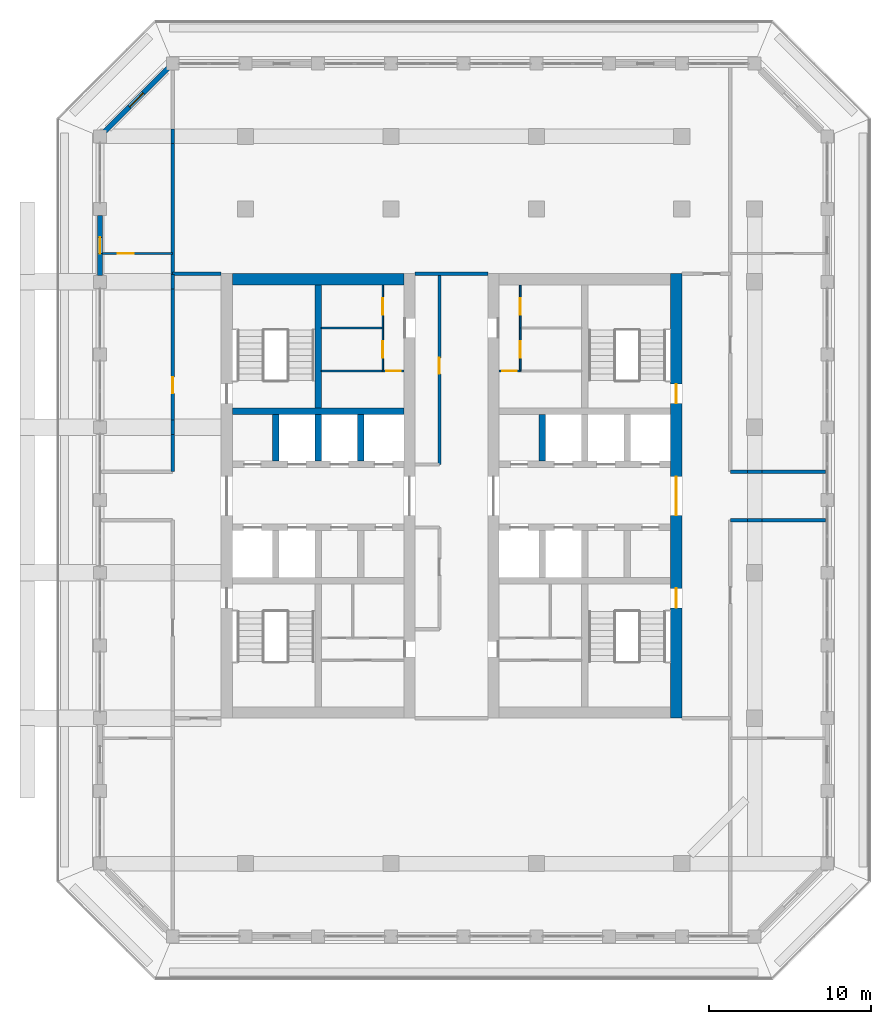
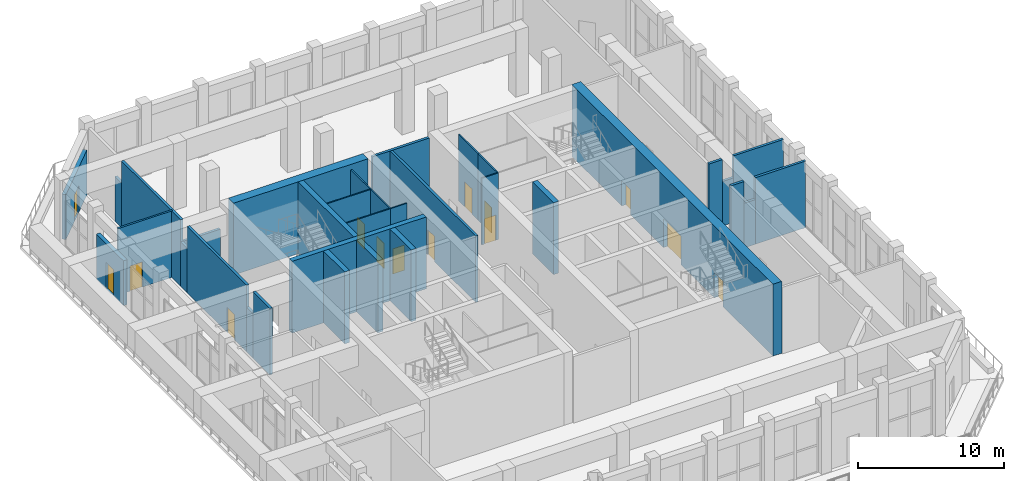
# One storey, part 14 of 25: 34 walls, 14 doors, 14 openings.
"""IFC4 building model written with IfcOpenShell, lengths in metres."""

from ifc_helpers import new_model, si_unit, direction, frame, frame_2d, origin, place, context, subcontext, project, spatial, rectangle, extrude, material, layer, layer_set, type_object, element, fill, save


model = new_model("IFC4")

# Units and contexts
model_context = context("Model", 3, precision=1e-05, world=origin(), true_north=direction((0.0, 1.0)))
body_context = subcontext(model_context, "Body", "Model", "MODEL_VIEW")
ifc_project = project(units=[si_unit("LENGTHUNIT", "METRE"), si_unit("AREAUNIT", "SQUARE_METRE"), si_unit("VOLUMEUNIT", "CUBIC_METRE"), si_unit("PLANEANGLEUNIT", "RADIAN"), si_unit("MASSUNIT", "GRAM", prefix="KILO")], contexts=[model_context])

# Site, building, storey
site_placement = place(None, origin())
site = spatial("IfcSite", under=ifc_project, at=site_placement, CompositionType="ELEMENT")
building_placement = place(site_placement, origin())
building = spatial("IfcBuilding", under=site, at=building_placement, Name="Corbel Stack Research Tower", CompositionType="ELEMENT")
storey_placement = place(building_placement, frame((0.0, 0.0, 260.300048828125)))
storey = spatial("IfcBuildingStorey", under=building, at=storey_placement, Name="L59", CompositionType="ELEMENT", Elevation=260.300048828125)

# Walls
ifc_material_1 = material(Name="Concrete C60/75", Category="concrete")
ifc_layer_1 = layer(ifc_material_1, 0.39990234375)
ifc_layer_set_1 = layer_set([ifc_layer_1], Name="Concrete C60/75")
wall_type_1 = type_object("IfcWallType", Name="CW-400-60", PredefinedType="SHEAR", material=ifc_layer_set_1)
wall_1_placement = place(storey_placement, frame((-9.800048828125, 10.0, 0.0), z_axis=(0.0, 0.0, 1.0), x_axis=(1.0, 0.0, 0.0)))
element("IfcWall", 1, at=wall_1_placement, inside=storey, type_object=wall_type_1, Name="West core wall, north row back L59", PredefinedType="SHEAR", context=body_context, shape_type="SweptSolid", body=[
    extrude(rectangle(XDim=10.60009765625, YDim=0.39990234375, at=frame_2d((5.300048828125, 0.0))), origin(), (0.0, 0.0, 1.0), 6.0),
])
for number, where, z_axis, x_axis, name in (
    (2, (-7.125, 6.89990234375, 0.0), (0.0, 0.0, 1.0), (0.0, 1.0, 0.0), "West core wall, north shaft 1 L59"),
    (3, (-4.5, 6.89990234375, 0.0), (0.0, 0.0, 1.0), (0.0, 1.0, 0.0), "West core wall, north shaft 2 L59"),
    (4, (-1.875, 6.89990234375, 0.0), (0.0, 0.0, 1.0), (0.0, 1.0, 0.0), "West core wall, north shaft 3 L59"),
):
    element("IfcWall", number, at=place(storey_placement, frame(where, z_axis=z_axis, x_axis=x_axis)), inside=storey, type_object=wall_type_1, Name=name, PredefinedType="SHEAR", context=body_context, shape_type="SweptSolid", body=[
        extrude(rectangle(XDim=2.900146484375, YDim=0.39990234375, at=frame_2d((1.4501953125, 0.0))), origin(), (0.0, 0.0, 1.0), 6.0),
    ])
wall_2_placement = place(storey_placement, frame((-4.5, 10.199951171875, 0.0), z_axis=(0.0, 0.0, 1.0), x_axis=(0.0, 1.0, 0.0)))
element("IfcWall", 5, at=wall_2_placement, inside=storey, type_object=wall_type_1, Name="West core wall, north stair and riser L59", PredefinedType="SHEAR", context=body_context, shape_type="SweptSolid", body=[
    extrude(rectangle(XDim=7.60009765625, YDim=0.39990234375, at=frame_2d((3.800048828125, 0.0))), origin(), (0.0, 0.0, 1.0), 6.0),
])
wall_3_placement = place(storey_placement, frame((9.375, 6.89990234375, 0.0), z_axis=(0.0, 0.0, 1.0), x_axis=(0.0, 1.0, 0.0)))
element("IfcWall", 6, at=wall_3_placement, inside=storey, type_object=wall_type_1, Name="East core wall, north shaft 1 L59", PredefinedType="SHEAR", context=body_context, shape_type="SweptSolid", body=[
    extrude(rectangle(XDim=2.900146484375, YDim=0.39990234375, at=frame_2d((1.4501953125, 0.0))), origin(), (0.0, 0.0, 1.0), 6.0),
])
ifc_material_2 = material(Name="Concrete C60/75", Category="concrete")
ifc_layer_2 = layer(ifc_material_2, 0.699951171875)
ifc_layer_set_2 = layer_set([ifc_layer_2], Name="Concrete C60/75")
wall_type_2 = type_object("IfcWallType", Name="CW-700-60", PredefinedType="SHEAR", material=ifc_layer_set_2)
wall_4_placement = place(storey_placement, frame((-9.800048828125, 18.14990234375, 0.0), z_axis=(0.0, 0.0, 1.0), x_axis=(1.0, 0.0, 0.0)))
element("IfcWall", 7, at=wall_4_placement, inside=storey, type_object=wall_type_2, Name="West core wall, north end L59", PredefinedType="SHEAR", context=body_context, shape_type="SweptSolid", body=[
    extrude(rectangle(XDim=10.60009765625, YDim=0.699951171875, at=frame_2d((5.300048828125, 0.0))), origin(), (0.0, 0.0, 1.0), 6.0),
])

# Wall, openings, doors
wall_5_placement = place(storey_placement, frame((17.64990234375, -9.0, 0.0), z_axis=(0.0, 0.0, 1.0), x_axis=(0.0, 1.0, 0.0)))
wall_5 = element("IfcWall", 8, at=wall_5_placement, inside=storey, type_object=wall_type_2, Name="East core wall, east face L59", PredefinedType="SHEAR", context=body_context, shape_type="SweptSolid", body=[
    extrude(rectangle(XDim=27.5, YDim=0.699951171875, at=frame_2d((13.75, 0.0))), origin(), (0.0, 0.0, 1.0), 6.0),
])
opening_1_placement = place(wall_5_placement, frame((12.550048828125, 0.0, 0.0)))
opening_1 = element("IfcOpeningElement", 9, at=opening_1_placement, cuts=wall_5, Name="Opening CD-E-E", PredefinedType="OPENING", context=body_context, shape_type="SweptSolid", body=[
    extrude(rectangle(XDim=2.39990234375, YDim=2.39990234375, at=frame_2d((1.199951171875, 1.199951171875))), frame((0.0, 0.35986328125, 0.0), z_axis=(0.0, -1.0, 0.0), x_axis=(1.0, 0.0, 0.0)), (0.0, 0.0, 1.0), 0.719970703125),
])
opening_2_placement = place(wall_5_placement, frame((6.824951171875, 0.0, 0.0)))
opening_2 = element("IfcOpeningElement", 10, at=opening_2_placement, cuts=wall_5, Name="Opening SD-ST-E1", PredefinedType="OPENING", context=body_context, shape_type="SweptSolid", body=[
    extrude(rectangle(XDim=1.199951171875, YDim=2.10009765625, at=frame_2d((0.60009765625, 1.050048828125))), frame((0.0, 0.35986328125, 0.0), z_axis=(0.0, -1.0, 0.0), x_axis=(1.0, 0.0, 0.0)), (0.0, 0.0, 1.0), 0.719970703125),
])
opening_3_placement = place(wall_5_placement, frame((19.47509765625, 0.0, 0.0)))
opening_3 = element("IfcOpeningElement", 11, at=opening_3_placement, cuts=wall_5, Name="Opening SD-ST-E2", PredefinedType="OPENING", context=body_context, shape_type="SweptSolid", body=[
    extrude(rectangle(XDim=1.199951171875, YDim=2.10009765625, at=frame_2d((0.60009765625, 1.050048828125))), frame((0.0, 0.35986328125, 0.0), z_axis=(0.0, -1.0, 0.0), x_axis=(1.0, 0.0, 0.0)), (0.0, 0.0, 1.0), 0.719970703125),
])
ifc_material_3 = material(Name="Painted steel fire door", Category="steel")
door_type_1 = type_object("IfcDoorType", Name="Lobby door pair 2400 x 2400 FD30S", OperationType="DOUBLE_DOOR_DOUBLE_SWING", PredefinedType="DOOR", material=ifc_material_3)
door_1_placement = place(opening_1_placement, origin())
door_1 = element("IfcDoor", 12, at=door_1_placement, inside=storey, type_object=door_type_1, Name="Lift lobby door E core E", OperationType="DOUBLE_DOOR_DOUBLE_SWING", OverallHeight=2.39990234375, OverallWidth=2.39990234375, PredefinedType="DOOR", context=body_context, shape_type="SweptSolid", body=[
    extrude(rectangle(XDim=2.39990234375, YDim=2.39990234375, at=frame_2d((1.199951171875, 1.199951171875))), frame((0.0, 0.02490234375, 0.0), z_axis=(0.0, -1.0, 0.0), x_axis=(1.0, 0.0, 0.0)), (0.0, 0.0, 1.0), 0.050048828125),
])
fill(opening_1, door_1)
ifc_material_4 = material(Name="Painted steel fire door", Category="steel")
door_type_2 = type_object("IfcDoorType", Name="Stair door 1200 x 2100 FD90 right hand", OperationType="SINGLE_SWING_RIGHT", PredefinedType="DOOR", material=ifc_material_4)
door_2_placement = place(opening_2_placement, frame((1.199951171875, 0.0, 0.0), z_axis=(0.0, 0.0, 1.0), x_axis=(-1.0, 0.0, 0.0)))
door_2 = element("IfcDoor", 13, at=door_2_placement, inside=storey, type_object=door_type_2, Name="Stair door ST-E1", OperationType="SINGLE_SWING_LEFT", OverallHeight=2.10009765625, OverallWidth=1.199951171875, PredefinedType="DOOR", context=body_context, shape_type="SweptSolid", body=[
    extrude(rectangle(XDim=1.199951171875, YDim=2.10009765625, at=frame_2d((0.60009765625, 1.050048828125))), frame((0.0, 0.02490234375, 0.0), z_axis=(0.0, -1.0, 0.0), x_axis=(1.0, 0.0, 0.0)), (0.0, 0.0, 1.0), 0.050048828125),
])
fill(opening_2, door_2)
door_3_placement = place(opening_3_placement, frame((1.199951171875, 0.0, 0.0), z_axis=(0.0, 0.0, 1.0), x_axis=(-1.0, 0.0, 0.0)))
door_3 = element("IfcDoor", 14, at=door_3_placement, inside=storey, type_object=door_type_2, Name="Stair door ST-E2", OperationType="SINGLE_SWING_LEFT", OverallHeight=2.10009765625, OverallWidth=1.199951171875, PredefinedType="DOOR", context=body_context, shape_type="SweptSolid", body=[
    extrude(rectangle(XDim=1.199951171875, YDim=2.10009765625, at=frame_2d((0.60009765625, 1.050048828125))), frame((0.0, 0.02490234375, 0.0), z_axis=(0.0, -1.0, 0.0), x_axis=(1.0, 0.0, 0.0)), (0.0, 0.0, 1.0), 0.050048828125),
])
fill(opening_3, door_3)

# Wall, opening, door
ifc_material_5 = material(Name="Gypsum board")
ifc_layer_3 = layer(ifc_material_5, 0.10009765625)
ifc_layer_set_3 = layer_set([ifc_layer_3], Name="Gypsum board")
wall_type_3 = type_object("IfcWallType", Name="Core partition 100", PredefinedType="PARTITIONING", material=ifc_layer_set_3)
wall_6_placement = place(storey_placement, frame((-0.5, 12.47998046875, 0.0), z_axis=(0.0, 0.0, 1.0), x_axis=(1.0, 0.0, 0.0)))
wall_6 = element("IfcWall", 15, at=wall_6_placement, inside=storey, type_object=wall_type_3, Name="Core partition W", PredefinedType="PARTITIONING", context=body_context, shape_type="SweptSolid", body=[
    extrude(rectangle(XDim=1.300048828125, YDim=0.10009765625, at=frame_2d((0.64990234375, 0.0))), origin(), (0.0, 0.0, 1.0), 5.550048828125),
])
opening_4_placement = place(wall_6_placement, frame((0.199951171875, 0.0, 0.0)))
opening_4 = element("IfcOpeningElement", 16, at=opening_4_placement, cuts=wall_6, Name="Opening CR-W24-R1-900", PredefinedType="OPENING", context=body_context, shape_type="SweptSolid", body=[
    extrude(rectangle(XDim=0.89990234375, YDim=2.10009765625, at=frame_2d((0.449951171875, 1.050048828125))), frame((0.0, 0.06005859375, 0.0), z_axis=(0.0, -1.0, 0.0), x_axis=(1.0, 0.0, 0.0)), (0.0, 0.0, 1.0), 0.1201171875),
])
ifc_material_6 = material(Name="Painted steel door", Category="steel")
door_type_3 = type_object("IfcDoorType", Name="Riser door 900 x 2100 FD60 left hand", OperationType="SINGLE_SWING_LEFT", PredefinedType="DOOR", material=ifc_material_6)
door_4_placement = place(opening_4_placement, origin())
door_4 = element("IfcDoor", 17, at=door_4_placement, inside=storey, type_object=door_type_3, Name="Electrical riser door W core", OperationType="SINGLE_SWING_LEFT", OverallHeight=2.10009765625, OverallWidth=0.89990234375, PredefinedType="DOOR", context=body_context, shape_type="SweptSolid", body=[
    extrude(rectangle(XDim=0.89990234375, YDim=2.10009765625, at=frame_2d((0.449951171875, 1.050048828125))), frame((0.0, 0.02490234375, 0.0), z_axis=(0.0, -1.0, 0.0), x_axis=(1.0, 0.0, 0.0)), (0.0, 0.0, 1.0), 0.050048828125),
])
fill(opening_4, door_4)

# Wall
wall_7_placement = place(storey_placement, frame((-4.300048828125, 12.47998046875, 0.0), z_axis=(0.0, 0.0, 1.0), x_axis=(1.0, 0.0, 0.0)))
element("IfcWall", 18, at=wall_7_placement, inside=storey, type_object=wall_type_3, Name="Core partition W", PredefinedType="PARTITIONING", context=body_context, shape_type="SweptSolid", body=[
    extrude(rectangle(XDim=3.800048828125, YDim=0.10009765625, at=frame_2d((1.89990234375, 0.0))), origin(), (0.0, 0.0, 1.0), 5.550048828125),
])

# Wall, opening, door
wall_8_placement = place(storey_placement, frame((-0.5, 12.47998046875, 0.0), z_axis=(0.0, 0.0, 1.0), x_axis=(0.0, 1.0, 0.0)))
wall_8 = element("IfcWall", 19, at=wall_8_placement, inside=storey, type_object=wall_type_3, Name="Core partition W", PredefinedType="PARTITIONING", context=body_context, shape_type="SweptSolid", body=[
    extrude(rectangle(XDim=2.659912109375, YDim=0.10009765625, at=frame_2d((1.330078125, 0.0))), origin(), (0.0, 0.0, 1.0), 5.550048828125),
])
opening_5_placement = place(wall_8_placement, frame((0.830078125, 0.0, 0.0)))
opening_5 = element("IfcOpeningElement", 20, at=opening_5_placement, cuts=wall_8, Name="Opening CR-W24-R3-1000", PredefinedType="OPENING", context=body_context, shape_type="SweptSolid", body=[
    extrude(rectangle(XDim=1.0, YDim=2.10009765625, at=frame_2d((0.5, 1.050048828125))), frame((0.0, 0.06005859375, 0.0), z_axis=(0.0, -1.0, 0.0), x_axis=(1.0, 0.0, 0.0)), (0.0, 0.0, 1.0), 0.1201171875),
])
ifc_material_7 = material(Name="Painted steel door", Category="steel")
door_type_4 = type_object("IfcDoorType", Name="Service door 1000 x 2100 FD30 left hand", OperationType="SINGLE_SWING_LEFT", PredefinedType="DOOR", material=ifc_material_7)
door_5_placement = place(opening_5_placement, origin())
door_5 = element("IfcDoor", 21, at=door_5_placement, inside=storey, type_object=door_type_4, Name="Pantry door W core", OperationType="SINGLE_SWING_LEFT", OverallHeight=2.10009765625, OverallWidth=1.0, PredefinedType="DOOR", context=body_context, shape_type="SweptSolid", body=[
    extrude(rectangle(XDim=1.0, YDim=2.10009765625, at=frame_2d((0.5, 1.050048828125))), frame((0.0, 0.02490234375, 0.0), z_axis=(0.0, -1.0, 0.0), x_axis=(1.0, 0.0, 0.0)), (0.0, 0.0, 1.0), 0.050048828125),
])
fill(opening_5, door_5)

wall_9_placement = place(storey_placement, frame((-0.5, 15.139892578125, 0.0), z_axis=(0.0, 0.0, 1.0), x_axis=(0.0, 1.0, 0.0)))
wall_9 = element("IfcWall", 22, at=wall_9_placement, inside=storey, type_object=wall_type_3, Name="Core partition W", PredefinedType="PARTITIONING", context=body_context, shape_type="SweptSolid", body=[
    extrude(rectangle(XDim=2.66015625, YDim=0.10009765625, at=frame_2d((1.330078125, 0.0))), origin(), (0.0, 0.0, 1.0), 5.550048828125),
])
opening_6_placement = place(wall_9_placement, frame((0.830078125, 0.0, 0.0)))
opening_6 = element("IfcOpeningElement", 23, at=opening_6_placement, cuts=wall_9, Name="Opening CR-W24-R4-1000", PredefinedType="OPENING", context=body_context, shape_type="SweptSolid", body=[
    extrude(rectangle(XDim=1.0, YDim=2.10009765625, at=frame_2d((0.5, 1.050048828125))), frame((0.0, 0.06005859375, 0.0), z_axis=(0.0, -1.0, 0.0), x_axis=(1.0, 0.0, 0.0)), (0.0, 0.0, 1.0), 0.1201171875),
])
ifc_material_8 = material(Name="Painted steel door", Category="steel")
door_type_5 = type_object("IfcDoorType", Name="Service door 1000 x 2100 FD30 right hand", OperationType="SINGLE_SWING_RIGHT", PredefinedType="DOOR", material=ifc_material_8)
door_6_placement = place(opening_6_placement, origin())
door_6 = element("IfcDoor", 24, at=door_6_placement, inside=storey, type_object=door_type_5, Name="Copy and supply store door W core", OperationType="SINGLE_SWING_RIGHT", OverallHeight=2.10009765625, OverallWidth=1.0, PredefinedType="DOOR", context=body_context, shape_type="SweptSolid", body=[
    extrude(rectangle(XDim=1.0, YDim=2.10009765625, at=frame_2d((0.5, 1.050048828125))), frame((0.0, 0.02490234375, 0.0), z_axis=(0.0, -1.0, 0.0), x_axis=(1.0, 0.0, 0.0)), (0.0, 0.0, 1.0), 0.050048828125),
])
fill(opening_6, door_6)

# Wall
wall_10_placement = place(storey_placement, frame((-4.300048828125, 15.139892578125, 0.0), z_axis=(0.0, 0.0, 1.0), x_axis=(1.0, 0.0, 0.0)))
element("IfcWall", 25, at=wall_10_placement, inside=storey, type_object=wall_type_3, Name="Core partition W", PredefinedType="PARTITIONING", context=body_context, shape_type="SweptSolid", body=[
    extrude(rectangle(XDim=3.800048828125, YDim=0.10009765625, at=frame_2d((1.89990234375, 0.0))), origin(), (0.0, 0.0, 1.0), 5.550048828125),
])

# Wall, opening, door
wall_11_placement = place(storey_placement, frame((6.699951171875, 12.47998046875, 0.0), z_axis=(0.0, 0.0, 1.0), x_axis=(1.0, 0.0, 0.0)))
wall_11 = element("IfcWall", 26, at=wall_11_placement, inside=storey, type_object=wall_type_3, Name="Core partition E", PredefinedType="PARTITIONING", context=body_context, shape_type="SweptSolid", body=[
    extrude(rectangle(XDim=1.300048828125, YDim=0.10009765625, at=frame_2d((0.64990234375, 0.0))), origin(), (0.0, 0.0, 1.0), 5.550048828125),
])
opening_7_placement = place(wall_11_placement, frame((0.199951171875, 0.0, 0.0)))
opening_7 = element("IfcOpeningElement", 27, at=opening_7_placement, cuts=wall_11, Name="Opening CR-E24-R1-900", PredefinedType="OPENING", context=body_context, shape_type="SweptSolid", body=[
    extrude(rectangle(XDim=0.89990234375, YDim=2.10009765625, at=frame_2d((0.449951171875, 1.050048828125))), frame((0.0, 0.06005859375, 0.0), z_axis=(0.0, -1.0, 0.0), x_axis=(1.0, 0.0, 0.0)), (0.0, 0.0, 1.0), 0.1201171875),
])
ifc_material_9 = material(Name="Painted steel door", Category="steel")
door_type_6 = type_object("IfcDoorType", Name="Riser door 900 x 2100 FD60 right hand", OperationType="SINGLE_SWING_RIGHT", PredefinedType="DOOR", material=ifc_material_9)
door_7_placement = place(opening_7_placement, origin())
door_7 = element("IfcDoor", 28, at=door_7_placement, inside=storey, type_object=door_type_6, Name="Electrical riser door E core", OperationType="SINGLE_SWING_RIGHT", OverallHeight=2.10009765625, OverallWidth=0.89990234375, PredefinedType="DOOR", context=body_context, shape_type="SweptSolid", body=[
    extrude(rectangle(XDim=0.89990234375, YDim=2.10009765625, at=frame_2d((0.449951171875, 1.050048828125))), frame((0.0, 0.02490234375, 0.0), z_axis=(0.0, -1.0, 0.0), x_axis=(1.0, 0.0, 0.0)), (0.0, 0.0, 1.0), 0.050048828125),
])
fill(opening_7, door_7)

wall_12_placement = place(storey_placement, frame((8.0, 12.47998046875, 0.0), z_axis=(0.0, 0.0, 1.0), x_axis=(0.0, 1.0, 0.0)))
wall_12 = element("IfcWall", 29, at=wall_12_placement, inside=storey, type_object=wall_type_3, Name="Core partition E", PredefinedType="PARTITIONING", context=body_context, shape_type="SweptSolid", body=[
    extrude(rectangle(XDim=2.659912109375, YDim=0.10009765625, at=frame_2d((1.330078125, 0.0))), origin(), (0.0, 0.0, 1.0), 5.550048828125),
])
opening_8_placement = place(wall_12_placement, frame((0.830078125, 0.0, 0.0)))
opening_8 = element("IfcOpeningElement", 30, at=opening_8_placement, cuts=wall_12, Name="Opening CR-E24-R3-1000", PredefinedType="OPENING", context=body_context, shape_type="SweptSolid", body=[
    extrude(rectangle(XDim=1.0, YDim=2.10009765625, at=frame_2d((0.5, 1.050048828125))), frame((0.0, 0.06005859375, 0.0), z_axis=(0.0, -1.0, 0.0), x_axis=(1.0, 0.0, 0.0)), (0.0, 0.0, 1.0), 0.1201171875),
])
door_8_placement = place(opening_8_placement, origin())
door_8 = element("IfcDoor", 31, at=door_8_placement, inside=storey, type_object=door_type_5, Name="Pantry door E core", OperationType="SINGLE_SWING_RIGHT", OverallHeight=2.10009765625, OverallWidth=1.0, PredefinedType="DOOR", context=body_context, shape_type="SweptSolid", body=[
    extrude(rectangle(XDim=1.0, YDim=2.10009765625, at=frame_2d((0.5, 1.050048828125))), frame((0.0, 0.02490234375, 0.0), z_axis=(0.0, -1.0, 0.0), x_axis=(1.0, 0.0, 0.0)), (0.0, 0.0, 1.0), 0.050048828125),
])
fill(opening_8, door_8)

wall_13_placement = place(storey_placement, frame((8.0, 15.139892578125, 0.0), z_axis=(0.0, 0.0, 1.0), x_axis=(0.0, 1.0, 0.0)))
wall_13 = element("IfcWall", 32, at=wall_13_placement, inside=storey, type_object=wall_type_3, Name="Core partition E", PredefinedType="PARTITIONING", context=body_context, shape_type="SweptSolid", body=[
    extrude(rectangle(XDim=2.66015625, YDim=0.10009765625, at=frame_2d((1.330078125, 0.0))), origin(), (0.0, 0.0, 1.0), 5.550048828125),
])
opening_9_placement = place(wall_13_placement, frame((0.830078125, 0.0, 0.0)))
opening_9 = element("IfcOpeningElement", 33, at=opening_9_placement, cuts=wall_13, Name="Opening CR-E24-R4-1000", PredefinedType="OPENING", context=body_context, shape_type="SweptSolid", body=[
    extrude(rectangle(XDim=1.0, YDim=2.10009765625, at=frame_2d((0.5, 1.050048828125))), frame((0.0, 0.06005859375, 0.0), z_axis=(0.0, -1.0, 0.0), x_axis=(1.0, 0.0, 0.0)), (0.0, 0.0, 1.0), 0.1201171875),
])
door_9_placement = place(opening_9_placement, origin())
door_9 = element("IfcDoor", 34, at=door_9_placement, inside=storey, type_object=door_type_4, Name="Copy and supply store door E core", OperationType="SINGLE_SWING_LEFT", OverallHeight=2.10009765625, OverallWidth=1.0, PredefinedType="DOOR", context=body_context, shape_type="SweptSolid", body=[
    extrude(rectangle(XDim=1.0, YDim=2.10009765625, at=frame_2d((0.5, 1.050048828125))), frame((0.0, 0.02490234375, 0.0), z_axis=(0.0, -1.0, 0.0), x_axis=(1.0, 0.0, 0.0)), (0.0, 0.0, 1.0), 0.050048828125),
])
fill(opening_9, door_9)

# Walls
ifc_material_10 = material(Name="Fire-rated gypsum board partition on steel studs", Category="steel")
ifc_layer_4 = layer(ifc_material_10, 0.199951171875)
ifc_layer_set_4 = layer_set([ifc_layer_4], Name="Fire-rated gypsum board partition on steel studs")
wall_type_4 = type_object("IfcWallType", Name="Fire-rated partition 200 EI 60", PredefinedType="PARTITIONING", material=ifc_layer_set_4)
wall_14_placement = place(storey_placement, frame((-13.5, 6.25, 0.0), z_axis=(0.0, 0.0, 1.0), x_axis=(0.0, 1.0, 0.0)))
element("IfcWall", 35, at=wall_14_placement, inside=storey, type_object=wall_type_4, Name="Partition L59-008", PredefinedType="PARTITIONING", context=body_context, shape_type="SweptSolid", body=[
    extrude(rectangle(XDim=2.300048828125, YDim=0.199951171875, at=frame_2d((1.14990234375, 0.0))), origin(), (0.0, 0.0, 1.0), 5.550048828125),
])
wall_15_placement = place(storey_placement, frame((-13.5, 8.550048828125, 0.0), z_axis=(0.0, 0.0, 1.0), x_axis=(0.0, 1.0, 0.0)))
element("IfcWall", 36, at=wall_15_placement, inside=storey, type_object=wall_type_4, Name="Partition L59-009", PredefinedType="PARTITIONING", context=body_context, shape_type="SweptSolid", body=[
    extrude(rectangle(XDim=0.89990234375, YDim=0.199951171875, at=frame_2d((0.449951171875, 0.0))), origin(), (0.0, 0.0, 1.0), 3.719970703125),
])

# Wall, opening, door
wall_16_placement = place(storey_placement, frame((-13.5, 9.449951171875, 0.0), z_axis=(0.0, 0.0, 1.0), x_axis=(0.0, 1.0, 0.0)))
wall_16 = element("IfcWall", 37, at=wall_16_placement, inside=storey, type_object=wall_type_4, Name="Partition L59-010", PredefinedType="PARTITIONING", context=body_context, shape_type="SweptSolid", body=[
    extrude(rectangle(XDim=8.10009765625, YDim=0.199951171875, at=frame_2d((4.050048828125, 0.0))), origin(), (0.0, 0.0, 1.0), 5.550048828125),
])
opening_10_placement = place(wall_16_placement, frame((1.64990234375, 0.0, 0.0)))
opening_10 = element("IfcOpeningElement", 38, at=opening_10_placement, cuts=wall_16, Name="Opening B7AM-002", PredefinedType="OPENING", context=body_context, shape_type="SweptSolid", body=[
    extrude(rectangle(XDim=1.0, YDim=2.10009765625, at=frame_2d((0.5, 1.050048828125))), frame((0.0, 0.10986328125, 0.0), z_axis=(0.0, -1.0, 0.0), x_axis=(1.0, 0.0, 0.0)), (0.0, 0.0, 1.0), 0.219970703125),
])
ifc_material_11 = material(Name="Painted steel fire door", Category="steel")
door_type_7 = type_object("IfcDoorType", Name="Fire door FD30S 1000 x 2100", OperationType="NOTDEFINED", PredefinedType="DOOR", material=ifc_material_11)
door_10_placement = place(opening_10_placement, origin())
door_10 = element("IfcDoor", 39, at=door_10_placement, inside=storey, type_object=door_type_7, Name="Door B7AM-002", OperationType="SINGLE_SWING_LEFT", OverallHeight=2.10009765625, OverallWidth=1.0, PredefinedType="DOOR", context=body_context, shape_type="SweptSolid", body=[
    extrude(rectangle(XDim=1.0, YDim=2.10009765625, at=frame_2d((0.5, 1.050048828125))), frame((0.0, 0.02490234375, 0.0), z_axis=(0.0, -1.0, 0.0), x_axis=(1.0, 0.0, 0.0)), (0.0, 0.0, 1.0), 0.050048828125),
])
fill(opening_10, door_10)

# Walls
wall_17_placement = place(storey_placement, frame((-13.5, 17.550048828125, 0.0), z_axis=(0.0, 0.0, 1.0), x_axis=(0.0, 1.0, 0.0)))
element("IfcWall", 40, at=wall_17_placement, inside=storey, type_object=wall_type_4, Name="Partition L59-011", PredefinedType="PARTITIONING", context=body_context, shape_type="SweptSolid", body=[
    extrude(rectangle(XDim=0.89990234375, YDim=0.199951171875, at=frame_2d((0.449951171875, 0.0))), origin(), (0.0, 0.0, 1.0), 3.719970703125),
])
wall_18_placement = place(storey_placement, frame((-13.5, 18.449951171875, 0.0), z_axis=(0.0, 0.0, 1.0), x_axis=(0.0, 1.0, 0.0)))
element("IfcWall", 41, at=wall_18_placement, inside=storey, type_object=wall_type_4, Name="Partition L59-012", PredefinedType="PARTITIONING", context=body_context, shape_type="SweptSolid", body=[
    extrude(rectangle(XDim=8.10009765625, YDim=0.199951171875, at=frame_2d((4.050048828125, 0.0))), origin(), (0.0, 0.0, 1.0), 5.550048828125),
])
wall_19_placement = place(storey_placement, frame((-13.5, 26.550048828125, 0.0), z_axis=(0.0, 0.0, 1.0), x_axis=(0.0, 1.0, 0.0)))
element("IfcWall", 42, at=wall_19_placement, inside=storey, type_object=wall_type_4, Name="Partition L59-013", PredefinedType="PARTITIONING", context=body_context, shape_type="SweptSolid", body=[
    extrude(rectangle(XDim=0.89990234375, YDim=0.199951171875, at=frame_2d((0.449951171875, 0.0))), origin(), (0.0, 0.0, 1.0), 3.719970703125),
])

# Wall, opening, door
wall_20_placement = place(storey_placement, frame((3.0, 6.699951171875, 0.0), z_axis=(0.0, 0.0, 1.0), x_axis=(0.0, 1.0, 0.0)))
wall_20 = element("IfcWall", 43, at=wall_20_placement, inside=storey, type_object=wall_type_4, Name="Partition L59-016", PredefinedType="PARTITIONING", context=body_context, shape_type="SweptSolid", body=[
    extrude(rectangle(XDim=11.800048828125, YDim=0.199951171875, at=frame_2d((5.89990234375, 0.0))), origin(), (0.0, 0.0, 1.0), 5.550048828125),
])
opening_11_placement = place(wall_20_placement, frame((5.60009765625, 0.0, 0.0)))
opening_11 = element("IfcOpeningElement", 44, at=opening_11_placement, cuts=wall_20, Name="Opening B7AM-007", PredefinedType="OPENING", context=body_context, shape_type="SweptSolid", body=[
    extrude(rectangle(XDim=1.0, YDim=2.10009765625, at=frame_2d((0.5, 1.050048828125))), frame((0.0, 0.10986328125, 0.0), z_axis=(0.0, -1.0, 0.0), x_axis=(1.0, 0.0, 0.0)), (0.0, 0.0, 1.0), 0.219970703125),
])
door_11_placement = place(opening_11_placement, origin())
door_11 = element("IfcDoor", 45, at=door_11_placement, inside=storey, type_object=door_type_7, Name="Door B7AM-007", OperationType="SINGLE_SWING_RIGHT", OverallHeight=2.10009765625, OverallWidth=1.0, PredefinedType="DOOR", context=body_context, shape_type="SweptSolid", body=[
    extrude(rectangle(XDim=1.0, YDim=2.10009765625, at=frame_2d((0.5, 1.050048828125))), frame((0.0, 0.02490234375, 0.0), z_axis=(0.0, -1.0, 0.0), x_axis=(1.0, 0.0, 0.0)), (0.0, 0.0, 1.0), 0.050048828125),
])
fill(opening_11, door_11)

# Walls
wall_21_placement = place(storey_placement, frame((21.0, 3.25, 0.0), z_axis=(0.0, 0.0, 1.0), x_axis=(1.0, 0.0, 0.0)))
element("IfcWall", 46, at=wall_21_placement, inside=storey, type_object=wall_type_4, Name="Partition L59-031", PredefinedType="PARTITIONING", context=body_context, shape_type="SweptSolid", body=[
    extrude(rectangle(XDim=1.050048828125, YDim=0.199951171875, at=frame_2d((0.52490234375, 0.0))), origin(), (0.0, 0.0, 1.0), 5.550048828125),
])
wall_22_placement = place(storey_placement, frame((22.050048828125, 3.25, 0.0), z_axis=(0.0, 0.0, 1.0), x_axis=(1.0, 0.0, 0.0)))
element("IfcWall", 47, at=wall_22_placement, inside=storey, type_object=wall_type_4, Name="Partition L59-032", PredefinedType="PARTITIONING", context=body_context, shape_type="SweptSolid", body=[
    extrude(rectangle(XDim=0.89990234375, YDim=0.199951171875, at=frame_2d((0.449951171875, 0.0))), origin(), (0.0, 0.0, 1.0), 3.719970703125),
])
wall_23_placement = place(storey_placement, frame((22.949951171875, 3.25, 0.0), z_axis=(0.0, 0.0, 1.0), x_axis=(1.0, 0.0, 0.0)))
element("IfcWall", 48, at=wall_23_placement, inside=storey, type_object=wall_type_4, Name="Partition L59-033", PredefinedType="PARTITIONING", context=body_context, shape_type="SweptSolid", body=[
    extrude(rectangle(XDim=3.949951171875, YDim=0.199951171875, at=frame_2d((1.97509765625, 0.0))), origin(), (0.0, 0.0, 1.0), 5.550048828125),
])
wall_24_placement = place(storey_placement, frame((21.0, 6.25, 0.0), z_axis=(0.0, 0.0, 1.0), x_axis=(1.0, 0.0, 0.0)))
element("IfcWall", 49, at=wall_24_placement, inside=storey, type_object=wall_type_4, Name="Partition L59-035", PredefinedType="PARTITIONING", context=body_context, shape_type="SweptSolid", body=[
    extrude(rectangle(XDim=1.050048828125, YDim=0.199951171875, at=frame_2d((0.52490234375, 0.0))), origin(), (0.0, 0.0, 1.0), 5.550048828125),
])
wall_25_placement = place(storey_placement, frame((22.050048828125, 6.25, 0.0), z_axis=(0.0, 0.0, 1.0), x_axis=(1.0, 0.0, 0.0)))
element("IfcWall", 50, at=wall_25_placement, inside=storey, type_object=wall_type_4, Name="Partition L59-036", PredefinedType="PARTITIONING", context=body_context, shape_type="SweptSolid", body=[
    extrude(rectangle(XDim=0.89990234375, YDim=0.199951171875, at=frame_2d((0.449951171875, 0.0))), origin(), (0.0, 0.0, 1.0), 3.719970703125),
])
wall_26_placement = place(storey_placement, frame((22.949951171875, 6.25, 0.0), z_axis=(0.0, 0.0, 1.0), x_axis=(1.0, 0.0, 0.0)))
element("IfcWall", 51, at=wall_26_placement, inside=storey, type_object=wall_type_4, Name="Partition L59-037", PredefinedType="PARTITIONING", context=body_context, shape_type="SweptSolid", body=[
    extrude(rectangle(XDim=3.949951171875, YDim=0.199951171875, at=frame_2d((1.97509765625, 0.0))), origin(), (0.0, 0.0, 1.0), 5.550048828125),
])
wall_27_placement = place(storey_placement, frame((-13.5, 18.5, 0.0), z_axis=(0.0, 0.0, 1.0), x_axis=(1.0, 0.0, 0.0)))
element("IfcWall", 52, at=wall_27_placement, inside=storey, type_object=wall_type_4, Name="Partition L59-039", PredefinedType="PARTITIONING", context=body_context, shape_type="SweptSolid", body=[
    extrude(rectangle(XDim=3.0, YDim=0.199951171875, at=frame_2d((1.5, 0.0))), origin(), (0.0, 0.0, 1.0), 3.719970703125),
])
wall_28_placement = place(storey_placement, frame((1.5, 18.5, 0.0), z_axis=(0.0, 0.0, 1.0), x_axis=(1.0, 0.0, 0.0)))
element("IfcWall", 53, at=wall_28_placement, inside=storey, type_object=wall_type_4, Name="Partition L59-040", PredefinedType="PARTITIONING", context=body_context, shape_type="SweptSolid", body=[
    extrude(rectangle(XDim=4.5, YDim=0.199951171875, at=frame_2d((2.25, 0.0))), origin(), (0.0, 0.0, 1.0), 5.550048828125),
])

# Wall, opening, door
ifc_material_12 = material(Name="Gypsum board partition on steel studs", Category="steel")
ifc_layer_5 = layer(ifc_material_12, 0.14990234375)
ifc_layer_set_5 = layer_set([ifc_layer_5], Name="Gypsum board partition on steel studs")
wall_type_5 = type_object("IfcWallType", Name="Partition 150", PredefinedType="PARTITIONING", material=ifc_layer_set_5)
wall_29_placement = place(storey_placement, frame((-17.85009765625, 19.75, 0.0), z_axis=(0.0, 0.0, 1.0), x_axis=(1.0, 0.0, 0.0)))
wall_29 = element("IfcWall", 54, at=wall_29_placement, inside=storey, type_object=wall_type_5, Name="Partition L59-042", PredefinedType="PARTITIONING", context=body_context, shape_type="SweptSolid", body=[
    extrude(rectangle(XDim=4.35009765625, YDim=0.14990234375, at=frame_2d((2.175048828125, 0.0))), origin(), (0.0, 0.0, 1.0), 5.550048828125),
])
opening_12_placement = place(wall_29_placement, frame((0.949951171875, 0.0, 0.0)))
opening_12 = element("IfcOpeningElement", 55, at=opening_12_placement, cuts=wall_29, Name="Opening B7AM-009", PredefinedType="OPENING", context=body_context, shape_type="SweptSolid", body=[
    extrude(rectangle(XDim=1.0, YDim=2.10009765625, at=frame_2d((0.5, 1.050048828125))), frame((0.0, 0.0849609375, 0.0), z_axis=(0.0, -1.0, 0.0), x_axis=(1.0, 0.0, 0.0)), (0.0, 0.0, 1.0), 0.169921875),
])
ifc_material_13 = material(Name="Painted timber door", Category="wood")
door_type_8 = type_object("IfcDoorType", Name="Single door 1000 x 2100", OperationType="NOTDEFINED", PredefinedType="DOOR", material=ifc_material_13)
door_12_placement = place(opening_12_placement, origin())
door_12 = element("IfcDoor", 56, at=door_12_placement, inside=storey, type_object=door_type_8, Name="Door B7AM-009", OperationType="SINGLE_SWING_LEFT", OverallHeight=2.10009765625, OverallWidth=1.0, PredefinedType="DOOR", context=body_context, shape_type="SweptSolid", body=[
    extrude(rectangle(XDim=1.0, YDim=2.10009765625, at=frame_2d((0.5, 1.050048828125))), frame((0.0, 0.02490234375, 0.0), z_axis=(0.0, -1.0, 0.0), x_axis=(1.0, 0.0, 0.0)), (0.0, 0.0, 1.0), 0.050048828125),
])
fill(opening_12, door_12)

ifc_material_14 = material(Name="Concrete C45/55", Category="concrete")
ifc_layer_6 = layer(ifc_material_14, 0.300048828125)
ifc_layer_set_6 = layer_set([ifc_layer_6], Name="Concrete C45/55")
wall_type_6 = type_object("IfcWallType", Name="Terracotta-faced concrete wall 300", PredefinedType="SOLIDWALL", material=ifc_layer_set_6)
wall_30_placement = place(storey_placement, frame((-17.7060546875, 27.2939453125, 0.0), z_axis=(0.0, 0.0, 1.0), x_axis=(0.707106781187, 0.707106781187, 0.0)))
wall_30 = element("IfcWall", 57, at=wall_30_placement, inside=storey, type_object=wall_type_6, Name="Facade wall L59 NW01", PredefinedType="SOLIDWALL", context=body_context, shape_type="SweptSolid", body=[
    extrude(rectangle(XDim=5.532470703125, YDim=0.300048828125, at=frame_2d((2.76611328125, 0.0))), origin(), (0.0, 0.0, 1.0), 3.75),
])
opening_13_placement = place(wall_30_placement, frame((2.166259765625, 0.0, 0.0)))
opening_13 = element("IfcOpeningElement", 58, at=opening_13_placement, cuts=wall_30, Name="Opening L59-B09", PredefinedType="OPENING", context=body_context, shape_type="SweptSolid", body=[
    extrude(rectangle(XDim=1.199951171875, YDim=2.199951171875, at=frame_2d((0.60009765625, 1.10009765625))), frame((0.0, 0.159912109375, 0.0), z_axis=(0.0, -1.0, 0.0), x_axis=(1.0, 0.0, 0.0)), (0.0, 0.0, 1.0), 0.320068359375),
])
ifc_material_15 = material(Name="Aluminium frame, clear double glazing", Category="aluminium")
door_type_9 = type_object("IfcDoorType", Name="Balcony door BD2 1200 x 2200", OperationType="NOTDEFINED", PredefinedType="DOOR", material=ifc_material_15)
door_13_placement = place(opening_13_placement, origin())
door_13 = element("IfcDoor", 59, at=door_13_placement, inside=storey, type_object=door_type_9, Name="Balcony door L59-B09", OperationType="SINGLE_SWING_RIGHT", OverallHeight=2.199951171875, OverallWidth=1.199951171875, PredefinedType="DOOR", context=body_context, shape_type="SweptSolid", body=[
    extrude(rectangle(XDim=1.199951171875, YDim=2.199951171875, at=frame_2d((0.60009765625, 1.10009765625))), frame((0.0, 0.02490234375, 0.0), z_axis=(0.0, -1.0, 0.0), x_axis=(1.0, 0.0, 0.0)), (0.0, 0.0, 1.0), 0.050048828125),
])
fill(opening_13, door_13)

wall_31_placement = place(storey_placement, frame((-18.0, 18.39990234375, 0.0), z_axis=(0.0, 0.0, 1.0), x_axis=(0.0, 1.0, 0.0)))
wall_31 = element("IfcWall", 60, at=wall_31_placement, inside=storey, type_object=wall_type_6, Name="Facade wall L59 W02", PredefinedType="SOLIDWALL", context=body_context, shape_type="SweptSolid", body=[
    extrude(rectangle(XDim=3.7001953125, YDim=0.300048828125, at=frame_2d((1.85009765625, 0.0))), origin(), (0.0, 0.0, 1.0), 3.75),
])
opening_14_placement = place(wall_31_placement, frame((1.35009765625, 0.0, 0.0)))
opening_14 = element("IfcOpeningElement", 61, at=opening_14_placement, cuts=wall_31, Name="Opening L59-B10", PredefinedType="OPENING", context=body_context, shape_type="SweptSolid", body=[
    extrude(rectangle(XDim=1.0, YDim=2.199951171875, at=frame_2d((0.5, 1.10009765625))), frame((0.0, 0.159912109375, 0.0), z_axis=(0.0, -1.0, 0.0), x_axis=(1.0, 0.0, 0.0)), (0.0, 0.0, 1.0), 0.320068359375),
])
ifc_material_16 = material(Name="Aluminium frame, clear double glazing", Category="aluminium")
door_type_10 = type_object("IfcDoorType", Name="Balcony door BD1 1000 x 2200", OperationType="NOTDEFINED", PredefinedType="DOOR", material=ifc_material_16)
door_14_placement = place(opening_14_placement, origin())
door_14 = element("IfcDoor", 62, at=door_14_placement, inside=storey, type_object=door_type_10, Name="Balcony door L59-B10", OperationType="SINGLE_SWING_LEFT", OverallHeight=2.199951171875, OverallWidth=1.0, PredefinedType="DOOR", context=body_context, shape_type="SweptSolid", body=[
    extrude(rectangle(XDim=1.0, YDim=2.199951171875, at=frame_2d((0.5, 1.10009765625))), frame((0.0, 0.02490234375, 0.0), z_axis=(0.0, -1.0, 0.0), x_axis=(1.0, 0.0, 0.0)), (0.0, 0.0, 1.0), 0.050048828125),
])
fill(opening_14, door_14)

save(model, "model.ifc")
